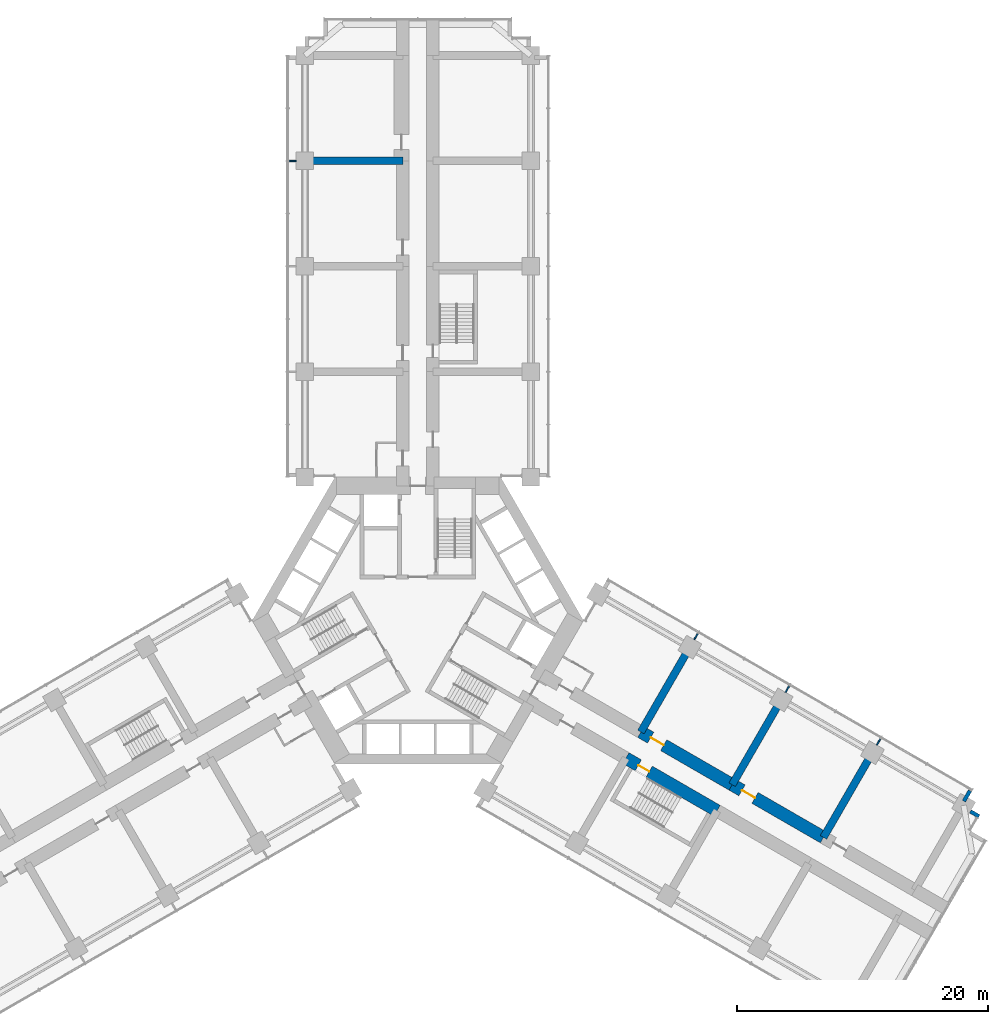
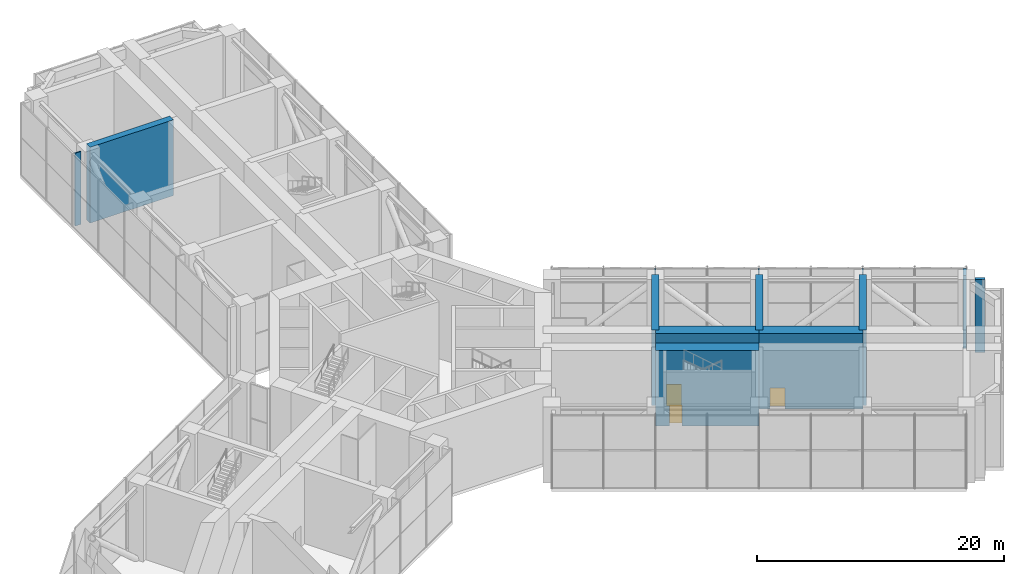
# One storey, part 16 of 19: 13 walls, 3 doors, 3 openings.
"""IFC4 building model written with IfcOpenShell, lengths in metres."""

from ifc_helpers import new_model, si_unit, direction, frame, frame_2d, origin, place, context, subcontext, project, spatial, rectangle, extrude, material, layer, layer_set, type_object, element, fill, save


model = new_model("IFC4")

# Units and contexts
model_context = context("Model", 3, precision=1e-05, world=origin(), true_north=direction((0.0, 1.0)))
body_context = subcontext(model_context, "Body", "Model", "MODEL_VIEW")
ifc_project = project(units=[si_unit("LENGTHUNIT", "METRE"), si_unit("AREAUNIT", "SQUARE_METRE"), si_unit("VOLUMEUNIT", "CUBIC_METRE"), si_unit("PLANEANGLEUNIT", "RADIAN"), si_unit("MASSUNIT", "GRAM", prefix="KILO")], contexts=[model_context])

# Site, building, storey
site_placement = place(None, origin())
site = spatial("IfcSite", under=ifc_project, at=site_placement, CompositionType="ELEMENT")
building_placement = place(site_placement, origin())
building = spatial("IfcBuilding", under=site, at=building_placement, Name="Impinga Residences", CompositionType="ELEMENT")
storey_placement = place(building_placement, frame((0.0, 0.0, 93.5)))
storey = spatial("IfcBuildingStorey", under=building, at=storey_placement, Name="L23", CompositionType="ELEMENT", Elevation=93.5)

# Walls
ifc_material_1 = material(Name="Concrete blockwork", Category="masonry")
ifc_layer_1 = layer(ifc_material_1, 0.10009765625)
ifc_layer_set_1 = layer_set([ifc_layer_1], Name="CP1 core room partition, blockwork 100")
wall_type_1 = type_object("IfcWallType", Name="CP1 core room partition, blockwork 100", PredefinedType="PARTITIONING", material=ifc_layer_set_1)
for number, where, z_axis, x_axis, name in (
    (1, (-9.699951171875, 36.631591796875, 0.0), (0.0, 0.0, 1.0), (-1.0, 0.0, 0.0), "Core room partition, blockwork L23-NA1:PS3b"),
    (2, (22.024658203125, -1.515380859375, 0.0), (0.0, 0.0, 1.0), (0.499986818241, 0.866033014143, 0.0), "Core room partition, blockwork L23-EA1:PS1b"),
    (3, (29.29931640625, -5.71533203125, 0.0), (0.0, 0.0, 1.0), (0.499659488908, 0.866221908719, 0.0), "Core room partition, blockwork L23-EA1:PS2b"),
    (4, (36.57373046875, -9.915283203125, 0.0), (0.0, 0.0, 1.0), (0.499986818241, 0.866033014143, 0.0), "Core room partition, blockwork L23-EA1:PS3b"),
):
    element("IfcWall", number, at=place(storey_placement, frame(where, z_axis=z_axis, x_axis=x_axis)), inside=storey, type_object=wall_type_1, Name=name, PredefinedType="PARTITIONING", context=body_context, shape_type="SweptSolid", body=[
        extrude(rectangle(XDim=0.5595703125, YDim=0.10009765625, at=frame_2d((0.27978515625, 0.0))), origin(), (0.0, 0.0, 1.0), 7.199951171875),
    ])
ifc_material_2 = material(Name="Stone facing on blockwork", Category="masonry")
ifc_layer_2 = layer(ifc_material_2, 0.300048828125)
ifc_layer_set_2 = layer_set([ifc_layer_2], Name="EW2 external wall, stone facing on blockwork 300")
wall_type_2 = type_object("IfcWallType", Name="EW2 external wall, stone facing on blockwork 300", PredefinedType="SOLIDWALL", material=ifc_layer_set_2)
wall_1_placement = place(storey_placement, frame((43.997314453125, -13.5576171875, 0.0), z_axis=(0.0, 0.0, 1.0), x_axis=(-0.500060909899, -0.865990234582, 0.0)))
element("IfcWall", 5, at=wall_1_placement, inside=storey, type_object=wall_type_2, Name="External wall EW2 L23", PredefinedType="SOLIDWALL", context=body_context, shape_type="SweptSolid", body=[
    extrude(rectangle(XDim=0.95751953125, YDim=0.300048828125, at=frame_2d((0.478759765625, 0.0))), origin(), (0.0, 0.0, 1.0), 7.199951171875),
])
wall_2_placement = place(storey_placement, frame((44.0322265625, -15.202880859375, 0.0), z_axis=(0.0, 0.0, 1.0), x_axis=(0.865915193073, -0.500190841984, 0.0)))
element("IfcWall", 6, at=wall_2_placement, inside=storey, type_object=wall_type_2, Name="External wall EW2 L23", PredefinedType="SOLIDWALL", context=body_context, shape_type="SweptSolid", body=[
    extrude(rectangle(XDim=0.797119140625, YDim=0.300048828125, at=frame_2d((0.3984375, 0.0))), origin(), (0.0, 0.0, 1.0), 7.199951171875),
])

# Wall, opening, door
ifc_material_3 = material(Name="Concrete C60/75", Category="concrete")
ifc_layer_3 = layer(ifc_material_3, 1.0)
ifc_layer_set_3 = layer_set([ifc_layer_3], Name="Concrete C60/75")
wall_type_3 = type_object("IfcWallType", Name="OW1 outrigger wall on the corridor line 1000", PredefinedType="SHEAR", material=ifc_layer_set_3)
wall_3_placement = place(storey_placement, frame((17.774658203125, -8.87646484375, 0.0), z_axis=(0.0, 0.0, 1.0), x_axis=(0.86602925447, -0.499993330357, 0.0)))
wall_3 = element("IfcWall", 7, at=wall_3_placement, inside=storey, type_object=wall_type_3, Name="Corridor wall OW1 EC L23", PredefinedType="SHEAR", context=body_context, shape_type="SweptSolid", body=[
    extrude(rectangle(XDim=8.39990234375, YDim=1.0, at=frame_2d((4.199951171875, 0.0))), origin(), (0.0, 0.0, 1.0), 7.5),
])
opening_1_placement = place(wall_3_placement, frame((0.89990234375, 0.0, 0.0)))
opening_1 = element("IfcOpeningElement", 8, at=opening_1_placement, cuts=wall_3, Name="Opening D3", PredefinedType="OPENING", context=body_context, shape_type="SweptSolid", body=[
    extrude(rectangle(XDim=1.199951171875, YDim=2.10009765625, at=frame_2d((0.60009765625, 1.050048828125))), frame((0.0, 0.510009765625, 0.0), z_axis=(0.0, -1.0, 0.0), x_axis=(1.0, 0.0, 0.0)), (0.0, 0.0, 1.0), 1.02001953125),
])
ifc_material_4 = material(Name="Timber door set", Category="wood")
door_type_1 = type_object("IfcDoorType", Name="D3 room door, leaf and a half 1200x2100", OperationType="DOUBLE_SWING_LEFT", PredefinedType="DOOR", material=ifc_material_4)
door_1_placement = place(opening_1_placement, origin())
door_1 = element("IfcDoor", 9, at=door_1_placement, inside=storey, type_object=door_type_1, Name="Air handling plant room door L23-EA1", OperationType="DOUBLE_SWING_LEFT", OverallHeight=2.10009765625, OverallWidth=1.199951171875, PredefinedType="DOOR", context=body_context, shape_type="SweptSolid", body=[
    extrude(rectangle(XDim=1.199951171875, YDim=2.10009765625, at=frame_2d((0.60009765625, 1.050048828125))), frame((0.0, 0.02490234375, 0.0), z_axis=(0.0, -1.0, 0.0), x_axis=(1.0, 0.0, 0.0)), (0.0, 0.0, 1.0), 0.050048828125),
])
fill(opening_1, door_1)

wall_4_placement = place(storey_placement, frame((25.04931640625, -13.076416015625, 0.0), z_axis=(0.0, 0.0, 1.0), x_axis=(0.866009402589, -0.500027713859, 0.0)))
wall_4 = element("IfcWall", 10, at=wall_4_placement, inside=storey, type_object=wall_type_3, Name="Corridor wall OW1 EC L23", PredefinedType="SHEAR", context=body_context, shape_type="SweptSolid", body=[
    extrude(rectangle(XDim=8.39990234375, YDim=1.0, at=frame_2d((4.199951171875, 0.0))), origin(), (0.0, 0.0, 1.0), 7.5),
])
opening_2_placement = place(wall_4_placement, frame((0.89990234375, 0.0, 0.0)))
opening_2 = element("IfcOpeningElement", 11, at=opening_2_placement, cuts=wall_4, Name="Opening D3", PredefinedType="OPENING", context=body_context, shape_type="SweptSolid", body=[
    extrude(rectangle(XDim=1.199951171875, YDim=2.10009765625, at=frame_2d((0.60009765625, 1.050048828125))), frame((0.0, 0.510009765625, 0.0), z_axis=(0.0, -1.0, 0.0), x_axis=(1.0, 0.0, 0.0)), (0.0, 0.0, 1.0), 1.02001953125),
])
door_2_placement = place(opening_2_placement, origin())
door_2 = element("IfcDoor", 12, at=door_2_placement, inside=storey, type_object=door_type_1, Name="Fire pump plant room door L23-EA1", OperationType="DOUBLE_SWING_LEFT", OverallHeight=2.10009765625, OverallWidth=1.199951171875, PredefinedType="DOOR", context=body_context, shape_type="SweptSolid", body=[
    extrude(rectangle(XDim=1.199951171875, YDim=2.10009765625, at=frame_2d((0.60009765625, 1.050048828125))), frame((0.0, 0.02490234375, 0.0), z_axis=(0.0, -1.0, 0.0), x_axis=(1.0, 0.0, 0.0)), (0.0, 0.0, 1.0), 0.050048828125),
])
fill(opening_2, door_2)

wall_5_placement = place(storey_placement, frame((16.57470703125, -10.955078125, 0.0), z_axis=(0.0, 0.0, 1.0), x_axis=(0.866021988312, -0.500005915725, 0.0)))
wall_5 = element("IfcWall", 13, at=wall_5_placement, inside=storey, type_object=wall_type_3, Name="Corridor wall OW1 ED L23", PredefinedType="SHEAR", context=body_context, shape_type="SweptSolid", body=[
    extrude(rectangle(XDim=8.39990234375, YDim=1.0, at=frame_2d((4.199951171875, 0.0))), origin(), (0.0, 0.0, 1.0), 7.5),
])
opening_3_placement = place(wall_5_placement, frame((1.14990234375, 0.0, 0.0)))
opening_3 = element("IfcOpeningElement", 14, at=opening_3_placement, cuts=wall_5, Name="Opening D5", PredefinedType="OPENING", context=body_context, shape_type="SweptSolid", body=[
    extrude(rectangle(XDim=1.0, YDim=2.10009765625, at=frame_2d((0.5, 1.050048828125))), frame((0.0, 0.510009765625, 0.0), z_axis=(0.0, -1.0, 0.0), x_axis=(1.0, 0.0, 0.0)), (0.0, 0.0, 1.0), 1.02001953125),
])
door_type_2 = type_object("IfcDoorType", Name="D5 stair door 1000x2100", OperationType="SINGLE_SWING_LEFT", PredefinedType="DOOR", material=ifc_material_4)
door_3_placement = place(opening_3_placement, origin())
door_3 = element("IfcDoor", 15, at=door_3_placement, inside=storey, type_object=door_type_2, Name="Wing stair door E", OperationType="SINGLE_SWING_LEFT", OverallHeight=2.10009765625, OverallWidth=1.0, PredefinedType="DOOR", context=body_context, shape_type="SweptSolid", body=[
    extrude(rectangle(XDim=1.0, YDim=2.10009765625, at=frame_2d((0.5, 1.050048828125))), frame((0.0, 0.02490234375, 0.0), z_axis=(0.0, -1.0, 0.0), x_axis=(1.0, 0.0, 0.0)), (0.0, 0.0, 1.0), 0.050048828125),
])
fill(opening_3, door_3)

# Walls
ifc_layer_4 = layer(ifc_material_3, 0.60009765625)
ifc_layer_set_4 = layer_set([ifc_layer_4], Name="Concrete C60/75")
wall_type_4 = type_object("IfcWallType", Name="OW2 outrigger arm wall to the perimeter columns 600", PredefinedType="SHEAR", material=ifc_layer_set_4)
wall_6_placement = place(storey_placement, frame((-1.199951171875, 36.631591796875, 0.0), z_axis=(0.0, 0.0, 1.0), x_axis=(-1.0, 0.0, 0.0)))
element("IfcWall", 16, at=wall_6_placement, inside=storey, type_object=wall_type_4, Name="Outrigger wall OW2 N4/NA L23", PredefinedType="SHEAR", context=body_context, shape_type="SweptSolid", body=[
    extrude(rectangle(XDim=7.800048828125, YDim=0.60009765625, at=frame_2d((3.89990234375, 0.0))), origin(), (0.0, 0.0, 1.0), 7.5),
])
for number, where, z_axis, x_axis, name in (
    (17, (17.774658203125, -8.87646484375, 0.0), (0.0, 0.0, 1.0), (0.499997012787, 0.866027128446, 0.0), "Outrigger wall OW2 E2/EA L23"),
    (18, (25.04931640625, -13.076416015625, 0.0), (0.0, 0.0, 1.0), (0.499997012787, 0.866027128446, 0.0), "Outrigger wall OW2 E3/EA L23"),
):
    element("IfcWall", number, at=place(storey_placement, frame(where, z_axis=z_axis, x_axis=x_axis)), inside=storey, type_object=wall_type_4, Name=name, PredefinedType="SHEAR", context=body_context, shape_type="SweptSolid", body=[
        extrude(rectangle(XDim=7.7998046875, YDim=0.60009765625, at=frame_2d((3.89990234375, 0.0))), origin(), (0.0, 0.0, 1.0), 7.5),
    ])
wall_7_placement = place(storey_placement, frame((32.32373046875, -17.276611328125, 0.0), z_axis=(0.0, 0.0, 1.0), x_axis=(0.500006934395, 0.866021400173, 0.0)))
element("IfcWall", 19, at=wall_7_placement, inside=storey, type_object=wall_type_4, Name="Outrigger wall OW2 E4/EA L23", PredefinedType="SHEAR", context=body_context, shape_type="SweptSolid", body=[
    extrude(rectangle(XDim=7.80029296875, YDim=0.60009765625, at=frame_2d((3.900146484375, 0.0))), origin(), (0.0, 0.0, 1.0), 7.5),
])

save(model, "model.ifc")
